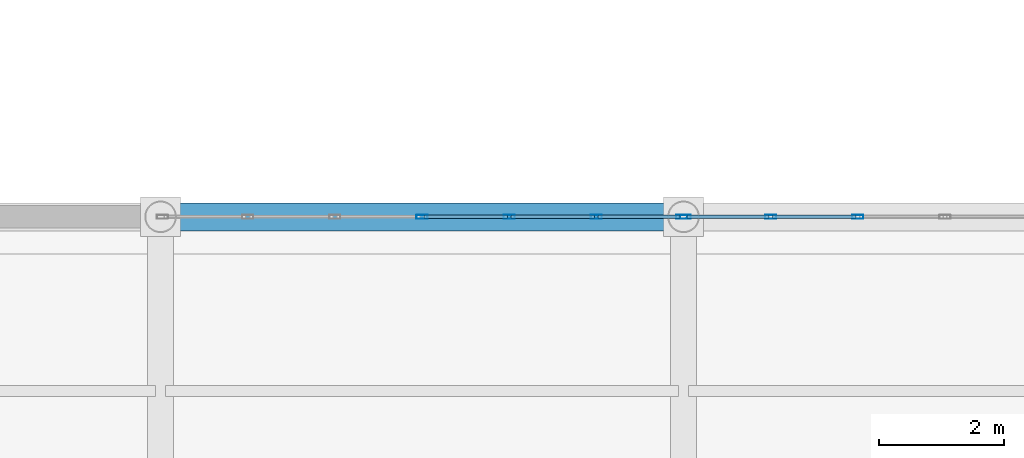
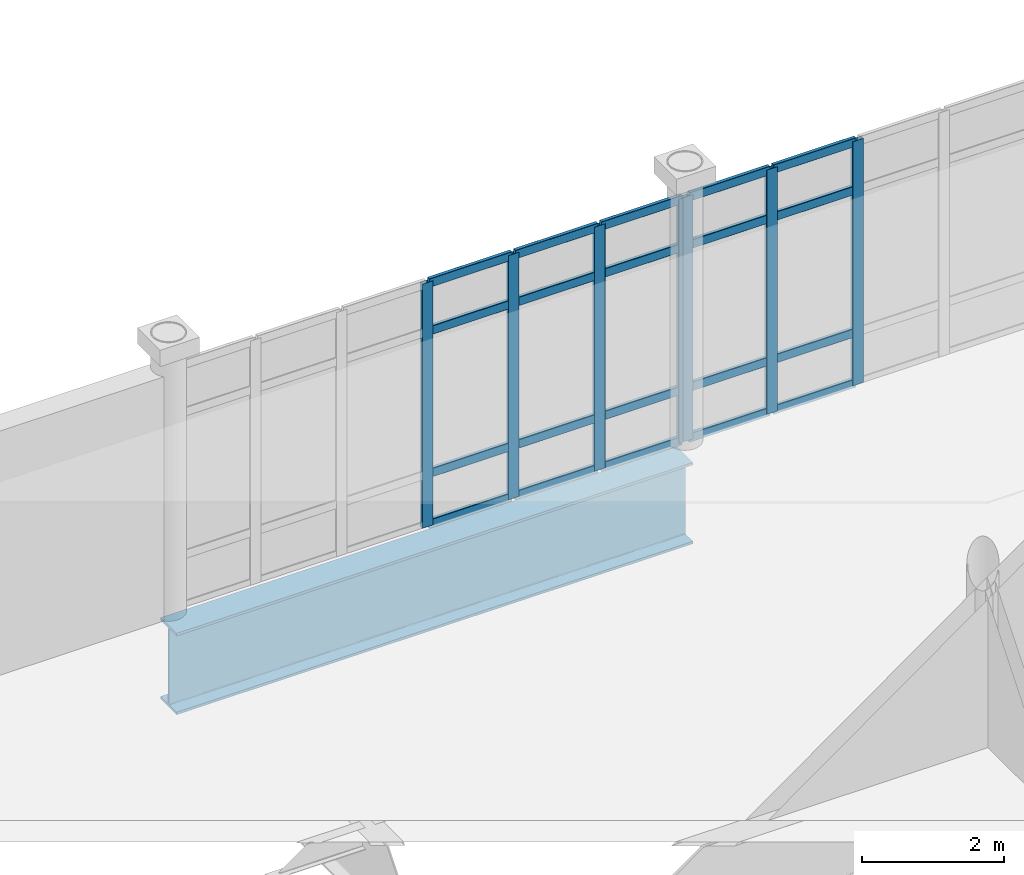
# One storey, part 55 of 145: 27 members, 1 beam, 2 elements without a shape of their own.
"""IFC4 building model written with IfcOpenShell, lengths in metres."""

from ifc_helpers import new_model, si_unit, direction, frame, origin, origin_2d, place, context, subcontext, project, spatial, hollow_rectangle, i_section, extrude, material, layer, layer_set, material_profile, profile_set, type_object, element, aggregate, save


model = new_model("IFC4")

# Units and contexts
model_context = context("Model", 3, precision=1e-05, world=origin(), true_north=direction((0.0, 1.0)))
body_context = subcontext(model_context, "Body", "Model", "MODEL_VIEW")
ifc_project = project(units=[si_unit("LENGTHUNIT", "METRE"), si_unit("AREAUNIT", "SQUARE_METRE"), si_unit("VOLUMEUNIT", "CUBIC_METRE"), si_unit("PLANEANGLEUNIT", "RADIAN"), si_unit("MASSUNIT", "GRAM", prefix="KILO")], contexts=[model_context])

# Site, building, storey
site_placement = place(None, origin())
site = spatial("IfcSite", under=ifc_project, at=site_placement, CompositionType="ELEMENT")
building_placement = place(site_placement, origin())
building = spatial("IfcBuilding", under=site, at=building_placement, Name="Qalvenar Corner Mobility Hub", CompositionType="ELEMENT")
storey_placement = place(building_placement, origin())
storey = spatial("IfcBuildingStorey", under=building, at=storey_placement, Name="L00", CompositionType="ELEMENT", Elevation=0.0)

# Beam
ifc_material_1 = material(Name="Steel S355", Category="steel")
ifc_material_profile_1 = material_profile(ifc_material_1, i_section(OverallWidth=0.449951171875, OverallDepth=1.39990234375, WebThickness=0.02587890625, FlangeThickness=0.0439453125, FilletRadius=0.02392578125, at=origin_2d()), Name="W1100x499-TG1400")
ifc_profile_set_1 = profile_set([ifc_material_profile_1], Name="Steel S355")
beam_type = type_object("IfcBeamType", Name="BM-TG1400", PredefinedType="T_BEAM", material=ifc_profile_set_1)
beam_placement = place(storey_placement, frame((84.0, 33.60009765625, -0.949951171875), z_axis=(1.0, 0.0, 0.0), x_axis=(0.0, 1.0, 0.0)))
element("IfcBeam", 1, at=beam_placement, inside=storey, type_object=beam_type, Name="Transfer Girder TG-0161", PredefinedType="T_BEAM", context=body_context, shape_type="SweptSolid", body=[
    extrude(i_section(OverallWidth=0.449951171875, OverallDepth=1.39990234375, WebThickness=0.02587890625, FlangeThickness=0.0439453125, FilletRadius=0.02392578125, at=origin_2d()), origin(), (0.0, 0.0, 1.0), 8.39990234375),
])

# Curtain wall, members
ifc_material_2 = material(Name="Anodised Aluminium and Low-E Glazing", Category="aluminium")
ifc_layer = layer(ifc_material_2, 0.179931640625)
ifc_layer_set = layer_set([ifc_layer], Name="Anodised Aluminium and Low-E Glazing")
curtain_wall_type = type_object("IfcCurtainWallType", Name="CW-CONC-84X48", PredefinedType="NOTDEFINED", material=ifc_layer_set)
curtain_wall_1_placement = place(storey_placement, origin())
curtain_wall_1 = element("IfcCurtainWall", 2, at=curtain_wall_1_placement, inside=storey, type_object=curtain_wall_type, Name="Glazed Curtain Wall CW-V1-L00-N4", PredefinedType="NOTDEFINED")
ifc_material_3 = material(Name="Anodised Aluminium 6063-T6", Category="aluminium")
ifc_material_profile_2 = material_profile(ifc_material_3, hollow_rectangle(XDim=0.06494140625, YDim=0.179931640625, WallThickness=0.00390625, InnerFilletRadius=0.00390625, OuterFilletRadius=0.008056640625, at=origin_2d()), Name="RHS180x65x4")
ifc_profile_set_2 = profile_set([ifc_material_profile_2], Name="Anodised Aluminium 6063-T6")
member_type_1 = type_object("IfcMemberType", Name="CW-MUL180", PredefinedType="MULLION", material=ifc_profile_set_2)
member_1_placement = place(storey_placement, frame((92.3701171875, 33.60009765625, 0.0), z_axis=(0.0, 0.0, 1.0), x_axis=(0.0, -1.0, 0.0)))
member_1 = element("IfcMember", 3, at=member_1_placement, type_object=member_type_1, Name="CW-01 mullion 1", PredefinedType="MULLION", context=body_context, shape_type="SweptSolid", body=[
    extrude(hollow_rectangle(XDim=0.06494140625, YDim=0.179931640625, WallThickness=0.00390625, InnerFilletRadius=0.00390625, OuterFilletRadius=0.008056640625, at=origin_2d()), origin(), (0.0, 0.0, 1.0), 4.199951171875),
])
member_2_placement = place(storey_placement, frame((91.0, 33.60009765625, 0.0), z_axis=(0.0, 0.0, 1.0), x_axis=(0.0, -1.0, 0.0)))
member_2 = element("IfcMember", 4, at=member_2_placement, type_object=member_type_1, Name="CW-01 mullion 2", PredefinedType="MULLION", context=body_context, shape_type="SweptSolid", body=[
    extrude(hollow_rectangle(XDim=0.06494140625, YDim=0.179931640625, WallThickness=0.00390625, InnerFilletRadius=0.00390625, OuterFilletRadius=0.008056640625, at=origin_2d()), origin(), (0.0, 0.0, 1.0), 4.199951171875),
])
member_3_placement = place(storey_placement, frame((89.60009765625, 33.60009765625, 0.0), z_axis=(0.0, 0.0, 1.0), x_axis=(0.0, -1.0, 0.0)))
member_3 = element("IfcMember", 5, at=member_3_placement, type_object=member_type_1, Name="CW-01 mullion 3", PredefinedType="MULLION", context=body_context, shape_type="SweptSolid", body=[
    extrude(hollow_rectangle(XDim=0.06494140625, YDim=0.179931640625, WallThickness=0.00390625, InnerFilletRadius=0.00390625, OuterFilletRadius=0.008056640625, at=origin_2d()), origin(), (0.0, 0.0, 1.0), 4.199951171875),
])
member_4_placement = place(storey_placement, frame((88.199951171875, 33.60009765625, 0.0), z_axis=(0.0, 0.0, 1.0), x_axis=(0.0, -1.0, 0.0)))
member_4 = element("IfcMember", 6, at=member_4_placement, type_object=member_type_1, Name="CW-01 mullion 4", PredefinedType="MULLION", context=body_context, shape_type="SweptSolid", body=[
    extrude(hollow_rectangle(XDim=0.06494140625, YDim=0.179931640625, WallThickness=0.00390625, InnerFilletRadius=0.00390625, OuterFilletRadius=0.008056640625, at=origin_2d()), origin(), (0.0, 0.0, 1.0), 4.199951171875),
])

curtain_wall_2_placement = place(storey_placement, origin())
curtain_wall_2 = element("IfcCurtainWall", 7, at=curtain_wall_2_placement, inside=storey, type_object=curtain_wall_type, Name="Glazed Curtain Wall CW-V1-L00-N5", PredefinedType="NOTDEFINED")
member_5_placement = place(storey_placement, frame((95.199951171875, 33.60009765625, 0.0), z_axis=(0.0, 0.0, 1.0), x_axis=(0.0, -1.0, 0.0)))
member_5 = element("IfcMember", 8, at=member_5_placement, type_object=member_type_1, Name="CW-01 mullion 5", PredefinedType="MULLION", context=body_context, shape_type="SweptSolid", body=[
    extrude(hollow_rectangle(XDim=0.06494140625, YDim=0.179931640625, WallThickness=0.00390625, InnerFilletRadius=0.00390625, OuterFilletRadius=0.008056640625, at=origin_2d()), origin(), (0.0, 0.0, 1.0), 4.199951171875),
])
member_6_placement = place(storey_placement, frame((93.800048828125, 33.60009765625, 0.0), z_axis=(0.0, 0.0, 1.0), x_axis=(0.0, -1.0, 0.0)))
member_6 = element("IfcMember", 9, at=member_6_placement, type_object=member_type_1, Name="CW-01 mullion 6", PredefinedType="MULLION", context=body_context, shape_type="SweptSolid", body=[
    extrude(hollow_rectangle(XDim=0.06494140625, YDim=0.179931640625, WallThickness=0.00390625, InnerFilletRadius=0.00390625, OuterFilletRadius=0.008056640625, at=origin_2d()), origin(), (0.0, 0.0, 1.0), 4.199951171875),
])
member_7_placement = place(storey_placement, frame((92.429931640625, 33.60009765625, 0.0), z_axis=(0.0, 0.0, 1.0), x_axis=(0.0, -1.0, 0.0)))
member_7 = element("IfcMember", 10, at=member_7_placement, type_object=member_type_1, Name="CW-01 mullion 7", PredefinedType="MULLION", context=body_context, shape_type="SweptSolid", body=[
    extrude(hollow_rectangle(XDim=0.06494140625, YDim=0.179931640625, WallThickness=0.00390625, InnerFilletRadius=0.00390625, OuterFilletRadius=0.008056640625, at=origin_2d()), origin(), (0.0, 0.0, 1.0), 4.199951171875),
])

# Member
ifc_material_profile_3 = material_profile(ifc_material_3, hollow_rectangle(XDim=0.06005859375, YDim=0.14990234375, WallThickness=0.00341796875, InnerFilletRadius=0.00341796875, OuterFilletRadius=0.007080078125, at=origin_2d()), Name="RHS150x60x3.5")
ifc_profile_set_3 = profile_set([ifc_material_profile_3], Name="Anodised Aluminium 6063-T6")
member_type_2 = type_object("IfcMemberType", Name="CW-TRN150", PredefinedType="USERDEFINED", material=ifc_profile_set_3)
member_8_placement = place(storey_placement, frame((92.340087890625, 33.60009765625, 0.027587890625), z_axis=(-1.0, 0.0, 0.0), x_axis=(0.0, -1.0, 0.0)))
member_8 = element("IfcMember", 11, at=member_8_placement, type_object=member_type_2, Name="CW-01 transom 1.1", ObjectType="TRANSOM", PredefinedType="USERDEFINED", context=body_context, shape_type="SweptSolid", body=[
    extrude(hollow_rectangle(XDim=0.06005859375, YDim=0.14990234375, WallThickness=0.00341796875, InnerFilletRadius=0.00341796875, OuterFilletRadius=0.007080078125, at=origin_2d()), origin(), (0.0, 0.0, 1.0), 1.31005859375),
])

member_9_placement = place(storey_placement, frame((92.340087890625, 33.60009765625, 0.89990234375), z_axis=(-1.0, 0.0, 0.0), x_axis=(0.0, -1.0, 0.0)))
member_9 = element("IfcMember", 12, at=member_9_placement, type_object=member_type_2, Name="CW-01 transom 1.2", ObjectType="TRANSOM", PredefinedType="USERDEFINED", context=body_context, shape_type="SweptSolid", body=[
    extrude(hollow_rectangle(XDim=0.06005859375, YDim=0.14990234375, WallThickness=0.00341796875, InnerFilletRadius=0.00341796875, OuterFilletRadius=0.007080078125, at=origin_2d()), origin(), (0.0, 0.0, 1.0), 1.31005859375),
])

member_10_placement = place(storey_placement, frame((92.340087890625, 33.60009765625, 3.35009765625), z_axis=(-1.0, 0.0, 0.0), x_axis=(0.0, -1.0, 0.0)))
member_10 = element("IfcMember", 13, at=member_10_placement, type_object=member_type_2, Name="CW-01 transom 1.3", ObjectType="TRANSOM", PredefinedType="USERDEFINED", context=body_context, shape_type="SweptSolid", body=[
    extrude(hollow_rectangle(XDim=0.06005859375, YDim=0.14990234375, WallThickness=0.00341796875, InnerFilletRadius=0.00341796875, OuterFilletRadius=0.007080078125, at=origin_2d()), origin(), (0.0, 0.0, 1.0), 1.31005859375),
])

member_11_placement = place(storey_placement, frame((92.340087890625, 33.60009765625, 4.172607421875), z_axis=(-1.0, 0.0, 0.0), x_axis=(0.0, -1.0, 0.0)))
member_11 = element("IfcMember", 14, at=member_11_placement, type_object=member_type_2, Name="CW-01 transom 1.4", ObjectType="TRANSOM", PredefinedType="USERDEFINED", context=body_context, shape_type="SweptSolid", body=[
    extrude(hollow_rectangle(XDim=0.06005859375, YDim=0.14990234375, WallThickness=0.00341796875, InnerFilletRadius=0.00341796875, OuterFilletRadius=0.007080078125, at=origin_2d()), origin(), (0.0, 0.0, 1.0), 1.31005859375),
])

member_12_placement = place(storey_placement, frame((90.969970703125, 33.60009765625, 0.027587890625), z_axis=(-1.0, 0.0, 0.0), x_axis=(0.0, -1.0, 0.0)))
member_12 = element("IfcMember", 15, at=member_12_placement, type_object=member_type_2, Name="CW-01 transom 2.1", ObjectType="TRANSOM", PredefinedType="USERDEFINED", context=body_context, shape_type="SweptSolid", body=[
    extrude(hollow_rectangle(XDim=0.06005859375, YDim=0.14990234375, WallThickness=0.00341796875, InnerFilletRadius=0.00341796875, OuterFilletRadius=0.007080078125, at=origin_2d()), origin(), (0.0, 0.0, 1.0), 1.340087890625),
])

member_13_placement = place(storey_placement, frame((90.969970703125, 33.60009765625, 0.89990234375), z_axis=(-1.0, 0.0, 0.0), x_axis=(0.0, -1.0, 0.0)))
member_13 = element("IfcMember", 16, at=member_13_placement, type_object=member_type_2, Name="CW-01 transom 2.2", ObjectType="TRANSOM", PredefinedType="USERDEFINED", context=body_context, shape_type="SweptSolid", body=[
    extrude(hollow_rectangle(XDim=0.06005859375, YDim=0.14990234375, WallThickness=0.00341796875, InnerFilletRadius=0.00341796875, OuterFilletRadius=0.007080078125, at=origin_2d()), origin(), (0.0, 0.0, 1.0), 1.340087890625),
])

member_14_placement = place(storey_placement, frame((90.969970703125, 33.60009765625, 3.35009765625), z_axis=(-1.0, 0.0, 0.0), x_axis=(0.0, -1.0, 0.0)))
member_14 = element("IfcMember", 17, at=member_14_placement, type_object=member_type_2, Name="CW-01 transom 2.3", ObjectType="TRANSOM", PredefinedType="USERDEFINED", context=body_context, shape_type="SweptSolid", body=[
    extrude(hollow_rectangle(XDim=0.06005859375, YDim=0.14990234375, WallThickness=0.00341796875, InnerFilletRadius=0.00341796875, OuterFilletRadius=0.007080078125, at=origin_2d()), origin(), (0.0, 0.0, 1.0), 1.340087890625),
])

member_15_placement = place(storey_placement, frame((90.969970703125, 33.60009765625, 4.172607421875), z_axis=(-1.0, 0.0, 0.0), x_axis=(0.0, -1.0, 0.0)))
member_15 = element("IfcMember", 18, at=member_15_placement, type_object=member_type_2, Name="CW-01 transom 2.4", ObjectType="TRANSOM", PredefinedType="USERDEFINED", context=body_context, shape_type="SweptSolid", body=[
    extrude(hollow_rectangle(XDim=0.06005859375, YDim=0.14990234375, WallThickness=0.00341796875, InnerFilletRadius=0.00341796875, OuterFilletRadius=0.007080078125, at=origin_2d()), origin(), (0.0, 0.0, 1.0), 1.340087890625),
])

member_16_placement = place(storey_placement, frame((89.570068359375, 33.60009765625, 0.027587890625), z_axis=(-1.0, 0.0, 0.0), x_axis=(0.0, -1.0, 0.0)))
member_16 = element("IfcMember", 19, at=member_16_placement, type_object=member_type_2, Name="CW-01 transom 3.1", ObjectType="TRANSOM", PredefinedType="USERDEFINED", context=body_context, shape_type="SweptSolid", body=[
    extrude(hollow_rectangle(XDim=0.06005859375, YDim=0.14990234375, WallThickness=0.00341796875, InnerFilletRadius=0.00341796875, OuterFilletRadius=0.007080078125, at=origin_2d()), origin(), (0.0, 0.0, 1.0), 1.340087890625),
])

member_17_placement = place(storey_placement, frame((89.570068359375, 33.60009765625, 0.89990234375), z_axis=(-1.0, 0.0, 0.0), x_axis=(0.0, -1.0, 0.0)))
member_17 = element("IfcMember", 20, at=member_17_placement, type_object=member_type_2, Name="CW-01 transom 3.2", ObjectType="TRANSOM", PredefinedType="USERDEFINED", context=body_context, shape_type="SweptSolid", body=[
    extrude(hollow_rectangle(XDim=0.06005859375, YDim=0.14990234375, WallThickness=0.00341796875, InnerFilletRadius=0.00341796875, OuterFilletRadius=0.007080078125, at=origin_2d()), origin(), (0.0, 0.0, 1.0), 1.340087890625),
])

member_18_placement = place(storey_placement, frame((89.570068359375, 33.60009765625, 3.35009765625), z_axis=(-1.0, 0.0, 0.0), x_axis=(0.0, -1.0, 0.0)))
member_18 = element("IfcMember", 21, at=member_18_placement, type_object=member_type_2, Name="CW-01 transom 3.3", ObjectType="TRANSOM", PredefinedType="USERDEFINED", context=body_context, shape_type="SweptSolid", body=[
    extrude(hollow_rectangle(XDim=0.06005859375, YDim=0.14990234375, WallThickness=0.00341796875, InnerFilletRadius=0.00341796875, OuterFilletRadius=0.007080078125, at=origin_2d()), origin(), (0.0, 0.0, 1.0), 1.340087890625),
])

member_19_placement = place(storey_placement, frame((89.570068359375, 33.60009765625, 4.172607421875), z_axis=(-1.0, 0.0, 0.0), x_axis=(0.0, -1.0, 0.0)))
member_19 = element("IfcMember", 22, at=member_19_placement, type_object=member_type_2, Name="CW-01 transom 3.4", ObjectType="TRANSOM", PredefinedType="USERDEFINED", context=body_context, shape_type="SweptSolid", body=[
    extrude(hollow_rectangle(XDim=0.06005859375, YDim=0.14990234375, WallThickness=0.00341796875, InnerFilletRadius=0.00341796875, OuterFilletRadius=0.007080078125, at=origin_2d()), origin(), (0.0, 0.0, 1.0), 1.340087890625),
])

aggregate(curtain_wall_1, [member_1, member_2, member_3, member_4, member_8, member_9, member_10, member_11, member_12, member_13, member_14, member_15, member_16, member_17, member_18, member_19])

member_20_placement = place(storey_placement, frame((95.169921875, 33.60009765625, 0.027587890625), z_axis=(-1.0, 0.0, 0.0), x_axis=(0.0, -1.0, 0.0)))
member_20 = element("IfcMember", 23, at=member_20_placement, type_object=member_type_2, Name="CW-01 transom 5.1", ObjectType="TRANSOM", PredefinedType="USERDEFINED", context=body_context, shape_type="SweptSolid", body=[
    extrude(hollow_rectangle(XDim=0.06005859375, YDim=0.14990234375, WallThickness=0.00341796875, InnerFilletRadius=0.00341796875, OuterFilletRadius=0.007080078125, at=origin_2d()), origin(), (0.0, 0.0, 1.0), 1.33984375),
])

member_21_placement = place(storey_placement, frame((95.169921875, 33.60009765625, 0.89990234375), z_axis=(-1.0, 0.0, 0.0), x_axis=(0.0, -1.0, 0.0)))
member_21 = element("IfcMember", 24, at=member_21_placement, type_object=member_type_2, Name="CW-01 transom 5.2", ObjectType="TRANSOM", PredefinedType="USERDEFINED", context=body_context, shape_type="SweptSolid", body=[
    extrude(hollow_rectangle(XDim=0.06005859375, YDim=0.14990234375, WallThickness=0.00341796875, InnerFilletRadius=0.00341796875, OuterFilletRadius=0.007080078125, at=origin_2d()), origin(), (0.0, 0.0, 1.0), 1.33984375),
])

member_22_placement = place(storey_placement, frame((95.169921875, 33.60009765625, 3.35009765625), z_axis=(-1.0, 0.0, 0.0), x_axis=(0.0, -1.0, 0.0)))
member_22 = element("IfcMember", 25, at=member_22_placement, type_object=member_type_2, Name="CW-01 transom 5.3", ObjectType="TRANSOM", PredefinedType="USERDEFINED", context=body_context, shape_type="SweptSolid", body=[
    extrude(hollow_rectangle(XDim=0.06005859375, YDim=0.14990234375, WallThickness=0.00341796875, InnerFilletRadius=0.00341796875, OuterFilletRadius=0.007080078125, at=origin_2d()), origin(), (0.0, 0.0, 1.0), 1.33984375),
])

member_23_placement = place(storey_placement, frame((95.169921875, 33.60009765625, 4.172607421875), z_axis=(-1.0, 0.0, 0.0), x_axis=(0.0, -1.0, 0.0)))
member_23 = element("IfcMember", 26, at=member_23_placement, type_object=member_type_2, Name="CW-01 transom 5.4", ObjectType="TRANSOM", PredefinedType="USERDEFINED", context=body_context, shape_type="SweptSolid", body=[
    extrude(hollow_rectangle(XDim=0.06005859375, YDim=0.14990234375, WallThickness=0.00341796875, InnerFilletRadius=0.00341796875, OuterFilletRadius=0.007080078125, at=origin_2d()), origin(), (0.0, 0.0, 1.0), 1.33984375),
])

member_24_placement = place(storey_placement, frame((93.77001953125, 33.60009765625, 0.027587890625), z_axis=(-1.0, 0.0, 0.0), x_axis=(0.0, -1.0, 0.0)))
member_24 = element("IfcMember", 27, at=member_24_placement, type_object=member_type_2, Name="CW-01 transom 6.1", ObjectType="TRANSOM", PredefinedType="USERDEFINED", context=body_context, shape_type="SweptSolid", body=[
    extrude(hollow_rectangle(XDim=0.06005859375, YDim=0.14990234375, WallThickness=0.00341796875, InnerFilletRadius=0.00341796875, OuterFilletRadius=0.007080078125, at=origin_2d()), origin(), (0.0, 0.0, 1.0), 1.31005859375),
])

member_25_placement = place(storey_placement, frame((93.77001953125, 33.60009765625, 0.89990234375), z_axis=(-1.0, 0.0, 0.0), x_axis=(0.0, -1.0, 0.0)))
member_25 = element("IfcMember", 28, at=member_25_placement, type_object=member_type_2, Name="CW-01 transom 6.2", ObjectType="TRANSOM", PredefinedType="USERDEFINED", context=body_context, shape_type="SweptSolid", body=[
    extrude(hollow_rectangle(XDim=0.06005859375, YDim=0.14990234375, WallThickness=0.00341796875, InnerFilletRadius=0.00341796875, OuterFilletRadius=0.007080078125, at=origin_2d()), origin(), (0.0, 0.0, 1.0), 1.31005859375),
])

member_26_placement = place(storey_placement, frame((93.77001953125, 33.60009765625, 3.35009765625), z_axis=(-1.0, 0.0, 0.0), x_axis=(0.0, -1.0, 0.0)))
member_26 = element("IfcMember", 29, at=member_26_placement, type_object=member_type_2, Name="CW-01 transom 6.3", ObjectType="TRANSOM", PredefinedType="USERDEFINED", context=body_context, shape_type="SweptSolid", body=[
    extrude(hollow_rectangle(XDim=0.06005859375, YDim=0.14990234375, WallThickness=0.00341796875, InnerFilletRadius=0.00341796875, OuterFilletRadius=0.007080078125, at=origin_2d()), origin(), (0.0, 0.0, 1.0), 1.31005859375),
])

member_27_placement = place(storey_placement, frame((93.77001953125, 33.60009765625, 4.172607421875), z_axis=(-1.0, 0.0, 0.0), x_axis=(0.0, -1.0, 0.0)))
member_27 = element("IfcMember", 30, at=member_27_placement, type_object=member_type_2, Name="CW-01 transom 6.4", ObjectType="TRANSOM", PredefinedType="USERDEFINED", context=body_context, shape_type="SweptSolid", body=[
    extrude(hollow_rectangle(XDim=0.06005859375, YDim=0.14990234375, WallThickness=0.00341796875, InnerFilletRadius=0.00341796875, OuterFilletRadius=0.007080078125, at=origin_2d()), origin(), (0.0, 0.0, 1.0), 1.31005859375),
])

aggregate(curtain_wall_2, [member_5, member_6, member_7, member_20, member_21, member_22, member_23, member_24, member_25, member_26, member_27])

save(model, "model.ifc")
